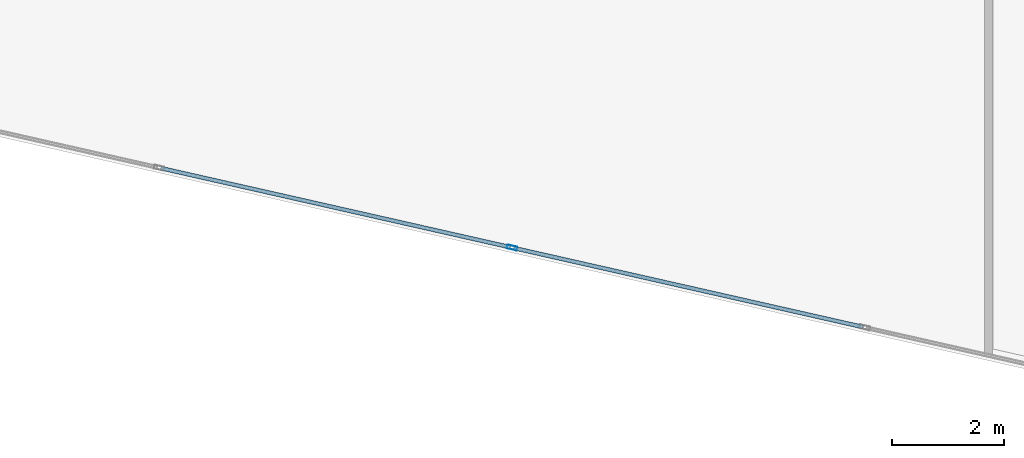
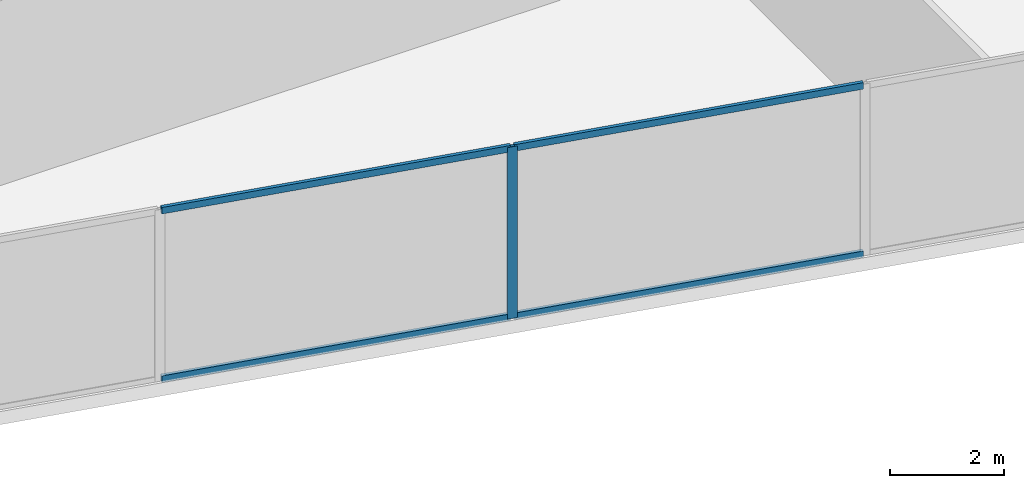
# One storey, part 5 of 27: 5 members, 1 element without a shape of its own.
"""IFC4 building model written with IfcOpenShell, lengths in metres."""

from ifc_helpers import new_model, si_unit, direction, frame, origin, origin_2d, place, context, subcontext, project, spatial, hollow_rectangle, extrude, source, transform, mapped, material, material_profile, profile_set, type_object, type_shapes, element, aggregate, save


model = new_model("IFC4")

# Units and contexts
model_context = context("Model", 3, precision=1e-05, world=origin(), true_north=direction((0.0, 1.0)))
body_context = subcontext(model_context, "Body", "Model", "MODEL_VIEW")
ifc_project = project(units=[si_unit("LENGTHUNIT", "METRE"), si_unit("AREAUNIT", "SQUARE_METRE"), si_unit("VOLUMEUNIT", "CUBIC_METRE"), si_unit("PLANEANGLEUNIT", "RADIAN"), si_unit("MASSUNIT", "GRAM", prefix="KILO")], contexts=[model_context])

# Site, building, storey
site_placement = place(None, origin())
site = spatial("IfcSite", under=ifc_project, at=site_placement, CompositionType="ELEMENT")
building_placement = place(site_placement, origin())
building = spatial("IfcBuilding", under=site, at=building_placement, Name="Krantzveldt Concourse Tower", CompositionType="ELEMENT")
storey_placement = place(building_placement, frame((0.0, 0.0, 86.10009765625)))
storey = spatial("IfcBuildingStorey", under=building, at=storey_placement, Name="L20", CompositionType="ELEMENT", Elevation=86.10009765625)

# Curtain wall, members
ifc_material = material(Name="Anodised aluminium 6063-T6", Category="aluminium")
curtain_wall_type = type_object("IfcCurtainWallType", Name="CW2", PredefinedType="USERDEFINED", material=ifc_material)
curtain_wall_placement = place(storey_placement, origin())
curtain_wall = element("IfcCurtainWall", 1, at=curtain_wall_placement, inside=storey, type_object=curtain_wall_type, Name="CW-L20-F04", ObjectType="UNITISED CURTAIN WALL", PredefinedType="USERDEFINED")
ifc_material_profile_1 = material_profile(ifc_material, hollow_rectangle(XDim=0.070068359375, YDim=0.179931640625, WallThickness=0.0048828125, at=origin_2d()), Name="Anodised aluminium 6063-T6", Category="aluminium")
ifc_profile_set_1 = profile_set([ifc_material_profile_1], Name="Anodised aluminium 6063-T6 - ALU-MULL 180x70x5")
member_type_1 = type_object("IfcMemberType", Name="CW-MUL-180", PredefinedType="MULLION", material=ifc_profile_set_1)
shared_shape_1 = source(origin(), body_context, "Body", "SweptSolid", [
    extrude(hollow_rectangle(XDim=0.070068359375, YDim=0.179931640625, WallThickness=0.0048828125, at=origin_2d()), origin(), (0.0, 0.0, 1.0), 3.669921875),
])
type_shapes(member_type_1, [shared_shape_1])
member_1_placement = place(storey_placement, frame((37.162841796875, 2.53759765625, 0.0), z_axis=(0.0, 0.0, 1.0), x_axis=(0.220697434579, 0.975342320609, 0.0)))
member_1 = element("IfcMember", 2, at=member_1_placement, type_object=member_type_1, Name="CW-Z12 mullion 5", PredefinedType="MULLION", context=body_context, shape_type="MappedRepresentation", body=[
    mapped(shared_shape_1, transform((0.0, 0.0, 0.0), x_axis=(1.0, 0.0, 0.0), y_axis=(0.0, 1.0, 0.0), z_axis=(0.0, 0.0, 1.0), scale=1.0)),
])
ifc_material_profile_2 = material_profile(ifc_material, hollow_rectangle(XDim=0.070068359375, YDim=0.139892578125, WallThickness=0.0048828125, at=origin_2d()), Name="Anodised aluminium 6063-T6", Category="aluminium")
ifc_profile_set_2 = profile_set([ifc_material_profile_2], Name="Anodised aluminium 6063-T6 - ALU-TRAN 140x70x5")
member_type_2 = type_object("IfcMemberType", Name="CW-TRN-150", PredefinedType="USERDEFINED", material=ifc_profile_set_2)
shared_shape_2 = source(origin(), body_context, "Body", "SweptSolid", [
    extrude(hollow_rectangle(XDim=0.070068359375, YDim=0.139892578125, WallThickness=0.0048828125, at=origin_2d()), origin(), (0.0, 0.0, 1.0), 6.396728515625),
])
type_shapes(member_type_2, [shared_shape_2])
member_2_placement = place(storey_placement, frame((30.8896484375, 3.95703125, 0.034912109375), z_axis=(0.975346478519, -0.220679058454, 0.0), x_axis=(0.220679058454, 0.975346478519, 0.0)))
member_2 = element("IfcMember", 3, at=member_2_placement, type_object=member_type_2, Name="CW-Z12 transom 4.1", ObjectType="TRANSOM", PredefinedType="USERDEFINED", context=body_context, shape_type="MappedRepresentation", body=[
    mapped(shared_shape_2, transform((0.0, 0.0, 0.0), x_axis=(1.0, 0.0, 0.0), y_axis=(0.0, 1.0, 0.0), z_axis=(0.0, 0.0, 1.0), scale=1.0)),
])
member_3_placement = place(storey_placement, frame((30.8896484375, 3.95703125, 3.635009765625), z_axis=(0.975346478519, -0.220679058454, 0.0), x_axis=(0.220679058454, 0.975346478519, 0.0)))
member_3 = element("IfcMember", 4, at=member_3_placement, type_object=member_type_2, Name="CW-Z12 transom 4.2", ObjectType="TRANSOM", PredefinedType="USERDEFINED", context=body_context, shape_type="MappedRepresentation", body=[
    mapped(shared_shape_2, transform((0.0, 0.0, 0.0), x_axis=(1.0, 0.0, 0.0), y_axis=(0.0, 1.0, 0.0), z_axis=(0.0, 0.0, 1.0), scale=1.0)),
])
member_4_placement = place(storey_placement, frame((37.19677734375, 2.52978515625, 0.034912109375), z_axis=(0.975346478519, -0.220679058454, 0.0), x_axis=(0.220679058454, 0.975346478519, 0.0)))
member_4 = element("IfcMember", 5, at=member_4_placement, type_object=member_type_2, Name="CW-Z12 transom 5.1", ObjectType="TRANSOM", PredefinedType="USERDEFINED", context=body_context, shape_type="MappedRepresentation", body=[
    mapped(shared_shape_2, transform((0.0, 0.0, 0.0), x_axis=(1.0, 0.0, 0.0), y_axis=(0.0, 1.0, 0.0), z_axis=(0.0, 0.0, 1.0), scale=1.0)),
])
member_5_placement = place(storey_placement, frame((37.19677734375, 2.52978515625, 3.635009765625), z_axis=(0.975346478519, -0.220679058454, 0.0), x_axis=(0.220679058454, 0.975346478519, 0.0)))
member_5 = element("IfcMember", 6, at=member_5_placement, type_object=member_type_2, Name="CW-Z12 transom 5.2", ObjectType="TRANSOM", PredefinedType="USERDEFINED", context=body_context, shape_type="MappedRepresentation", body=[
    mapped(shared_shape_2, transform((0.0, 0.0, 0.0), x_axis=(1.0, 0.0, 0.0), y_axis=(0.0, 1.0, 0.0), z_axis=(0.0, 0.0, 1.0), scale=1.0)),
])
aggregate(curtain_wall, [member_1, member_2, member_3, member_4, member_5])

save(model, "model.ifc")
